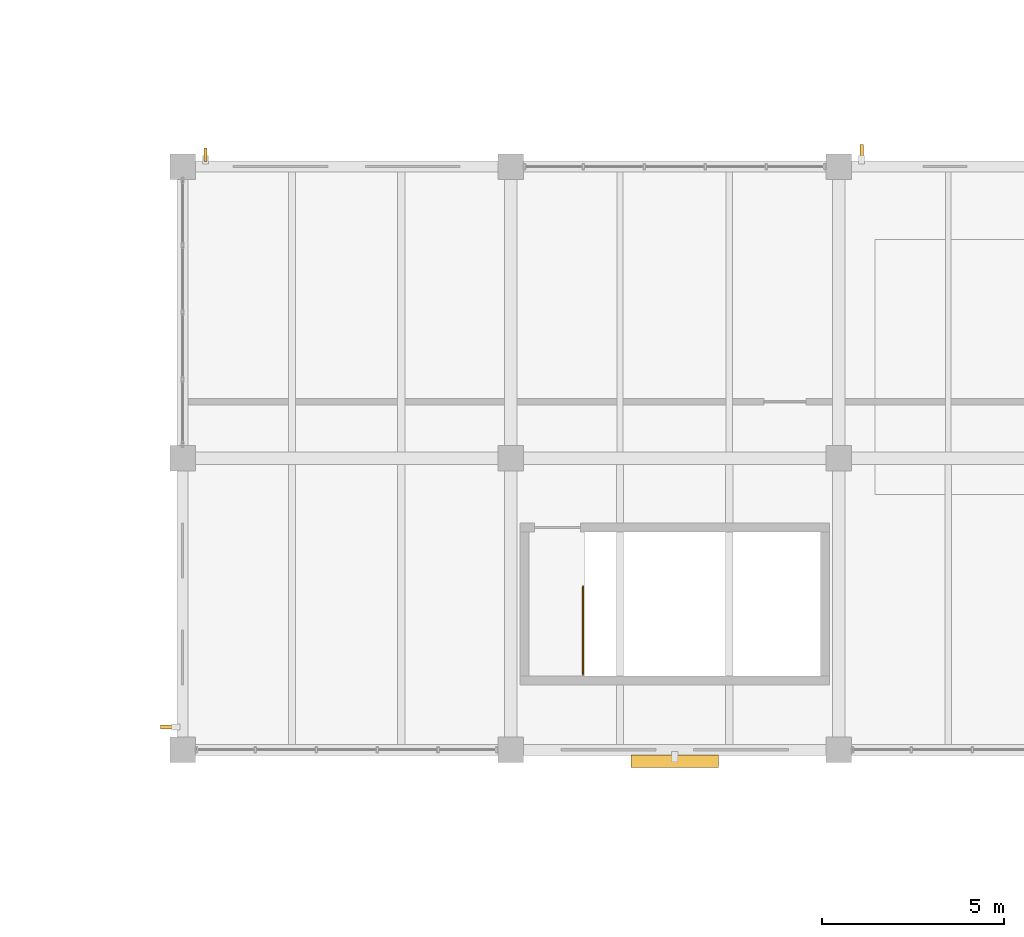
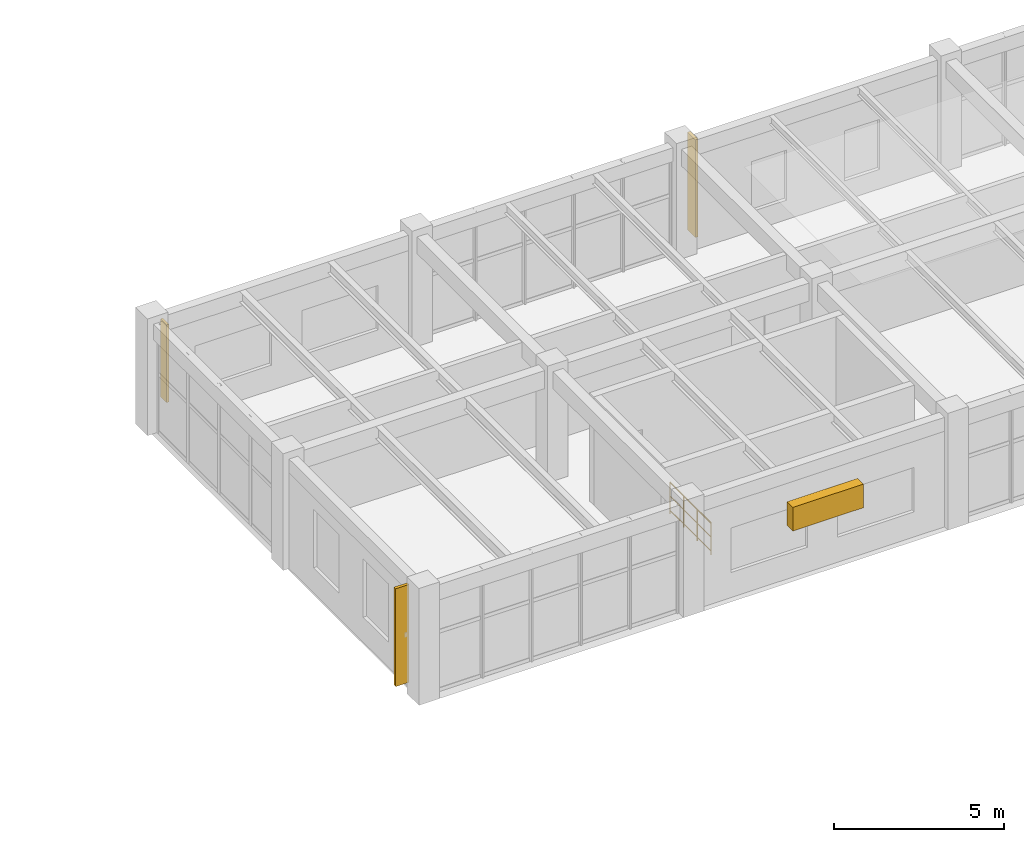
# One storey, part 122 of 128: 4 shading devices, 1 railing.
"""IFC4 building model written with IfcOpenShell, lengths in metres."""

from ifc_helpers import new_model, si_unit, derived_unit, direction, frame, origin, origin_2d, place, context, subcontext, project, spatial, rectangle, circle, extrude, material, type_object, element, save


model = new_model("IFC4")

# Units and contexts
model_context = context("Model", 3, precision=1e-05, world=origin(), true_north=direction((0.0, 1.0)))
body_context = subcontext(model_context, "Body", "Model", "MODEL_VIEW")
ifc_project = project(units=[si_unit("LENGTHUNIT", "METRE"), si_unit("AREAUNIT", "SQUARE_METRE"), si_unit("VOLUMEUNIT", "CUBIC_METRE"), si_unit("PLANEANGLEUNIT", "RADIAN"), si_unit("MASSUNIT", "GRAM", prefix="KILO"), derived_unit("THERMALTRANSMITTANCEUNIT", [(si_unit("MASSUNIT", "GRAM", prefix="KILO"), 1), (si_unit("TIMEUNIT", "SECOND"), -3), (si_unit("THERMODYNAMICTEMPERATUREUNIT", "KELVIN"), -1)])], contexts=[model_context])

# Site, building, storey
site_placement = place(None, origin())
site = spatial("IfcSite", under=ifc_project, at=site_placement, CompositionType="ELEMENT")
building_placement = place(site_placement, origin())
building = spatial("IfcBuilding", under=site, at=building_placement, Name="Zhenchuan Archway Interchange", CompositionType="ELEMENT")
storey_placement = place(building_placement, frame((0.0, 0.0, 14.39990234375)))
storey = spatial("IfcBuildingStorey", under=building, at=storey_placement, Name="L03", CompositionType="ELEMENT", Elevation=14.39990234375)

# Railing
ifc_material_1 = material(Name="Painted Galvanised Steel", Category="steel")
railing_type = type_object("IfcRailingType", Name="RL_GUARD_1150", PredefinedType="GUARDRAIL", material=ifc_material_1)
railing_placement = place(storey_placement, frame((118.985107421875, 10.06494140625, 0.0)))
element("IfcRailing", 1, at=railing_placement, inside=storey, type_object=railing_type, Name="Stair ST-O5 top landing guard (L03)", PredefinedType="GUARDRAIL", context=body_context, shape_type="SweptSolid", body=[
    extrude(circle(Radius=0.02392578125, at=origin_2d()), frame((0.0, 0.0, 1.1259765625), z_axis=(0.0, 1.0, 0.0), x_axis=(-1.0, 0.0, 0.0)), (0.0, 0.0, 1.0), 2.420166015625),
    extrude(circle(Radius=0.01611328125, at=origin_2d()), frame((0.0, 0.0, 0.63232421875), z_axis=(0.0, 1.0, 0.0), x_axis=(-1.0, 0.0, 0.0)), (0.0, 0.0, 1.0), 2.420166015625),
    extrude(circle(Radius=0.01611328125, at=origin_2d()), frame((0.0, 0.0, 0.1201171875), z_axis=(0.0, 1.0, 0.0), x_axis=(-1.0, 0.0, 0.0)), (0.0, 0.0, 1.0), 2.420166015625),
    extrude(circle(Radius=0.02099609375, at=origin_2d()), origin(), (0.0, 0.0, 1.0), 1.1259765625),
    extrude(circle(Radius=0.02099609375, at=origin_2d()), frame((0.0, 0.806640625, 0.0)), (0.0, 0.0, 1.0), 1.1259765625),
    extrude(circle(Radius=0.02099609375, at=origin_2d()), frame((0.0, 1.613525390625, 0.0)), (0.0, 0.0, 1.0), 1.1259765625),
    extrude(circle(Radius=0.02099609375, at=origin_2d()), frame((0.0, 2.420166015625, 0.0)), (0.0, 0.0, 1.0), 1.1259765625),
])

# Shading devices
ifc_material_2 = material(Name="Terracotta Ceramic", Category="masonry")
shading_device_type_1 = type_object("IfcShadingDeviceType", Name="SHD_FIN_2", PredefinedType="USERDEFINED", material=ifc_material_2)
shading_device_1_placement = place(storey_placement, frame((108.6279296875, 24.323974609375, 0.56005859375), z_axis=(0.0, 0.0, 1.0), x_axis=(1.0, 0.0, 0.0)))
element("IfcShadingDevice", 2, at=shading_device_1_placement, inside=storey, type_object=shading_device_type_1, Name="Terracotta vertical solar fin L03-103", ObjectType="FINS", PredefinedType="USERDEFINED", context=body_context, shape_type="SweptSolid", body=[
    extrude(rectangle(XDim=0.080078125, YDim=0.360107421875, at=origin_2d()), origin(), (0.0, 0.0, 1.0), 2.800048828125),
])
shading_device_type_2 = type_object("IfcShadingDeviceType", Name="SHD_FIN_3", PredefinedType="USERDEFINED", material=ifc_material_2)
for number, where, z_axis, x_axis, name in (
    (3, (126.6279296875, 24.3740234375, 0.2001953125), (0.0, 0.0, 1.0), (1.0, 0.0, 0.0), "Terracotta vertical solar fin L03-104"),
    (4, (107.6259765625, 8.6279296875, 0.2001953125), (0.0, 0.0, 1.0), (0.0, 1.0, 0.0), "Terracotta vertical solar fin L03-125"),
):
    element("IfcShadingDevice", number, at=place(storey_placement, frame(where, z_axis=z_axis, x_axis=x_axis)), inside=storey, type_object=shading_device_type_2, Name=name, ObjectType="FINS", PredefinedType="USERDEFINED", context=body_context, shape_type="SweptSolid", body=[
        extrude(rectangle(XDim=0.10009765625, YDim=0.4599609375, at=origin_2d()), origin(), (0.0, 0.0, 1.0), 3.52001953125),
    ])
ifc_material_3 = material(Name="Anodised Aluminium", Category="aluminium")
shading_device_type_3 = type_object("IfcShadingDeviceType", Name="SHD_LOUVRE_2", PredefinedType="JALOUSIE", material=ifc_material_3)
shading_device_2_placement = place(storey_placement, frame((121.5, 7.68603515625, 1.925048828125), z_axis=(0.0, 0.0, 1.0), x_axis=(-1.0, 0.0, 0.0)))
element("IfcShadingDevice", 5, at=shading_device_2_placement, inside=storey, type_object=shading_device_type_3, Name="Monsoon storm-louvre jalousie L03-124", PredefinedType="JALOUSIE", context=body_context, shape_type="SweptSolid", body=[
    extrude(rectangle(XDim=2.39990234375, YDim=0.340087890625, at=origin_2d()), origin(), (0.0, 0.0, 1.0), 0.85009765625),
])

save(model, "model.ifc")
